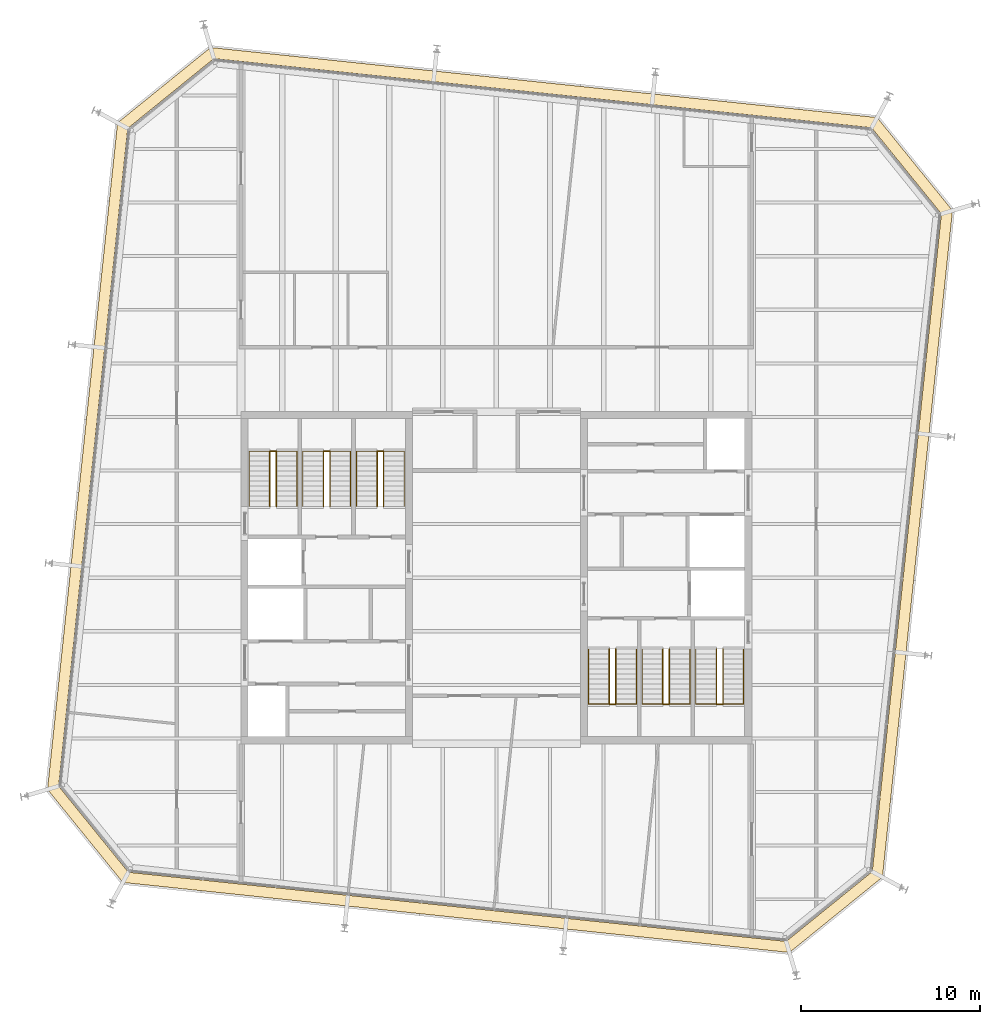
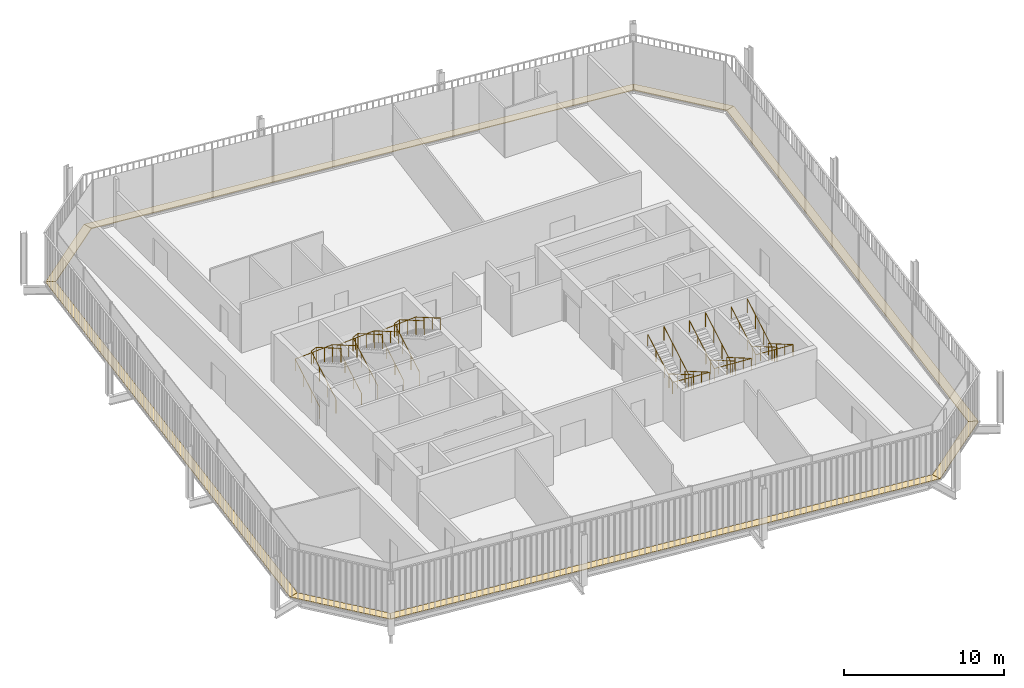
# One storey, part 20 of 20: 12 railings, 8 coverings.
"""IFC4 building model written with IfcOpenShell, lengths in metres."""

from ifc_helpers import new_model, si_unit, direction, frame, origin, origin_2d, place, context, subcontext, project, spatial, polyline, circle, outline, extrude, material, layer, layer_set, type_object, element, save


model = new_model("IFC4")

# Units and contexts
model_context = context("Model", 3, precision=1e-05, world=origin(), true_north=direction((0.0, 1.0)))
body_context = subcontext(model_context, "Body", "Model", "MODEL_VIEW")
ifc_project = project(units=[si_unit("LENGTHUNIT", "METRE"), si_unit("AREAUNIT", "SQUARE_METRE"), si_unit("VOLUMEUNIT", "CUBIC_METRE"), si_unit("PLANEANGLEUNIT", "RADIAN"), si_unit("MASSUNIT", "GRAM", prefix="KILO")], contexts=[model_context])

# Site, building, storey
site_placement = place(None, origin())
site = spatial("IfcSite", under=ifc_project, at=site_placement, CompositionType="ELEMENT")
building_placement = place(site_placement, origin())
building = spatial("IfcBuilding", under=site, at=building_placement, Name="Millrace Tower", CompositionType="ELEMENT")
storey_placement = place(building_placement, frame((0.0, 0.0, 295.5)))
storey = spatial("IfcBuildingStorey", under=building, at=storey_placement, Name="L68", CompositionType="ELEMENT", Elevation=295.5)

# Coverings
ifc_material_1 = material(Name="Steel ASTM A36", Category="steel")
ifc_layer = layer(ifc_material_1, 0.050048828125)
ifc_layer_set = layer_set([ifc_layer], Name="Steel ASTM A36")
covering_type = type_object("IfcCoveringType", Name="CAVITY CATWALK steel grating", PredefinedType="FLOORING", material=ifc_layer_set)
placement = place(storey_placement, frame((0.0, 0.0, 0.10009765625)))
element("IfcCovering", 1, at=placement, inside=storey, type_object=covering_type, Name="Cavity catwalk grating E-F01 L68 1", PredefinedType="FLOORING", context=body_context, shape_type="SweptSolid", body=[
    extrude(outline(polyline([(-25.13232421875, -11.8515625), (-20.914306640625, -17.060302734375), (-20.6044921875, -16.489501953125), (-24.509521484375, -11.6669921875), (-25.13232421875, -11.8515625)])), origin(), (0.0, 0.0, 1.0), 0.0498046875),
])
element("IfcCovering", 2, at=placement, inside=storey, type_object=covering_type, Name="Cavity catwalk grating E-F02 L68 1", PredefinedType="FLOORING", context=body_context, shape_type="SweptSolid", body=[
    extrude(outline(polyline([(-20.914306640625, -17.060302734375), (16.4013671875, -20.982177734375), (16.217041015625, -20.359619140625), (-20.6044921875, -16.489501953125), (-20.914306640625, -17.060302734375)])), origin(), (0.0, 0.0, 1.0), 0.0498046875),
])
element("IfcCovering", 3, at=placement, inside=storey, type_object=covering_type, Name="Cavity catwalk grating E-F03 L68 1", PredefinedType="FLOORING", context=body_context, shape_type="SweptSolid", body=[
    extrude(outline(polyline([(16.4013671875, -20.982177734375), (21.6103515625, -16.764404296875), (21.03955078125, -16.454345703125), (16.217041015625, -20.359619140625), (16.4013671875, -20.982177734375)])), origin(), (0.0, 0.0, 1.0), 0.0498046875),
])
element("IfcCovering", 4, at=placement, inside=storey, type_object=covering_type, Name="Cavity catwalk grating E-F04 L68 1", PredefinedType="FLOORING", context=body_context, shape_type="SweptSolid", body=[
    extrude(outline(polyline([(21.6103515625, -16.764404296875), (25.5322265625, 20.551513671875), (24.90966796875, 20.366943359375), (21.03955078125, -16.454345703125), (21.6103515625, -16.764404296875)])), origin(), (0.0, 0.0, 1.0), 0.0498046875),
])
element("IfcCovering", 5, at=placement, inside=storey, type_object=covering_type, Name="Cavity catwalk grating E-F05 L68 1", PredefinedType="FLOORING", context=body_context, shape_type="SweptSolid", body=[
    extrude(outline(polyline([(25.5322265625, 20.551513671875), (21.314208984375, 25.76025390625), (21.00439453125, 25.189453125), (24.90966796875, 20.366943359375), (25.5322265625, 20.551513671875)])), origin(), (0.0, 0.0, 1.0), 0.0498046875),
])
element("IfcCovering", 6, at=placement, inside=storey, type_object=covering_type, Name="Cavity catwalk grating E-F06 L68 1", PredefinedType="FLOORING", context=body_context, shape_type="SweptSolid", body=[
    extrude(outline(polyline([(21.314208984375, 25.76025390625), (-16.00146484375, 29.682373046875), (-15.817138671875, 29.0595703125), (21.00439453125, 25.189453125), (21.314208984375, 25.76025390625)])), origin(), (0.0, 0.0, 1.0), 0.0498046875),
])
element("IfcCovering", 7, at=placement, inside=storey, type_object=covering_type, Name="Cavity catwalk grating E-F07 L68 1", PredefinedType="FLOORING", context=body_context, shape_type="SweptSolid", body=[
    extrude(outline(polyline([(-16.00146484375, 29.682373046875), (-21.210205078125, 25.46435546875), (-20.639404296875, 25.154541015625), (-15.817138671875, 29.0595703125), (-16.00146484375, 29.682373046875)])), origin(), (0.0, 0.0, 1.0), 0.0498046875),
])
element("IfcCovering", 8, at=placement, inside=storey, type_object=covering_type, Name="Cavity catwalk grating E-F08 L68 1", PredefinedType="FLOORING", context=body_context, shape_type="SweptSolid", body=[
    extrude(outline(polyline([(-21.210205078125, 25.46435546875), (-25.13232421875, -11.8515625), (-24.509521484375, -11.6669921875), (-20.639404296875, 25.154541015625), (-21.210205078125, 25.46435546875)])), origin(), (0.0, 0.0, 1.0), 0.0498046875),
])

# Railings
ifc_material_2 = material(Name="Stainless steel ASTM A240 type 316", Category="steel")
railing_type_1 = type_object("IfcRailingType", Name="Stair guard 1100", PredefinedType="GUARDRAIL", material=ifc_material_2)
for number, where, name in (
    (9, (-12.679931640625, 4.0, 0.16259765625), "Stair guard 1 W L68"),
    (10, (-9.679931640625, 4.0, 0.16259765625), "Stair guard 2 W L68"),
    (11, (-6.679931640625, 4.0, 0.16259765625), "Stair guard 3 W L68"),
):
    element("IfcRailing", number, at=place(storey_placement, frame(where)), inside=storey, type_object=railing_type_1, Name=name, PredefinedType="GUARDRAIL", context=body_context, shape_type="SweptSolid", body=[
        extrude(circle(Radius=0.02392578125, at=origin_2d()), frame((0.0, 0.0, 1.076171875), z_axis=(0.0, 0.864920483161, 0.501908913857), x_axis=(-1.0, 0.0, 0.0)), (0.0, 0.0, 1.0), 3.56103515625),
        extrude(circle(Radius=0.02392578125, at=origin_2d()), frame((0.0, 3.080078125, 2.86328125), z_axis=(0.911295775139, 0.0, 0.411752365158), x_axis=(0.0, 1.0, 0.0)), (0.0, 0.0, 1.0), 0.394775390625),
        extrude(circle(Radius=0.02392578125, at=origin_2d()), frame((0.35986328125, 3.080078125, 3.02587890625), z_axis=(0.0, -0.864920483161, 0.501908913857), x_axis=(1.0, 0.0, 0.0)), (0.0, 0.0, 1.0), 3.56103515625),
        extrude(circle(Radius=0.02099609375, at=origin_2d()), origin(), (0.0, 0.0, 1.0), 1.052001953125),
        extrude(circle(Radius=0.02099609375, at=origin_2d()), frame((0.0, 1.026611328125, 0.595703125)), (0.0, 0.0, 1.0), 1.052001953125),
        extrude(circle(Radius=0.02099609375, at=origin_2d()), frame((0.0, 2.053466796875, 1.191650390625)), (0.0, 0.0, 1.0), 1.052001953125),
        extrude(circle(Radius=0.02099609375, at=origin_2d()), frame((0.0, 3.080078125, 1.787353515625)), (0.0, 0.0, 1.0), 1.052001953125),
        extrude(circle(Radius=0.02099609375, at=origin_2d()), frame((0.35986328125, 3.080078125, 1.949951171875)), (0.0, 0.0, 1.0), 1.052001953125),
        extrude(circle(Radius=0.02099609375, at=origin_2d()), frame((0.35986328125, 2.053466796875, 2.545654296875)), (0.0, 0.0, 1.0), 1.052001953125),
        extrude(circle(Radius=0.02099609375, at=origin_2d()), frame((0.35986328125, 1.026611328125, 3.1416015625)), (0.0, 0.0, 1.0), 1.052001953125),
        extrude(circle(Radius=0.02099609375, at=origin_2d()), frame((0.35986328125, 0.0, 3.7373046875)), (0.0, 0.0, 1.0), 1.052001953125),
    ])
for number, where, name in (
    (12, (12.679931640625, -4.0, 0.16259765625), "Stair guard 1 E L68"),
    (13, (9.679931640625, -4.0, 0.16259765625), "Stair guard 2 E L68"),
    (14, (6.679931640625, -4.0, 0.16259765625), "Stair guard 3 E L68"),
):
    element("IfcRailing", number, at=place(storey_placement, frame(where)), inside=storey, type_object=railing_type_1, Name=name, PredefinedType="GUARDRAIL", context=body_context, shape_type="SweptSolid", body=[
        extrude(circle(Radius=0.02392578125, at=origin_2d()), frame((0.0, 0.0, 1.076171875), z_axis=(0.0, -0.864920483161, 0.501908913857), x_axis=(1.0, 0.0, 0.0)), (0.0, 0.0, 1.0), 3.56103515625),
        extrude(circle(Radius=0.02392578125, at=origin_2d()), frame((0.0, -3.080078125, 2.86328125), z_axis=(-0.911295775139, 0.0, 0.411752365158), x_axis=(0.0, -1.0, 0.0)), (0.0, 0.0, 1.0), 0.394775390625),
        extrude(circle(Radius=0.02392578125, at=origin_2d()), frame((-0.35986328125, -3.080078125, 3.02587890625), z_axis=(0.0, 0.864920483161, 0.501908913857), x_axis=(-1.0, 0.0, 0.0)), (0.0, 0.0, 1.0), 3.56103515625),
        extrude(circle(Radius=0.02099609375, at=origin_2d()), origin(), (0.0, 0.0, 1.0), 1.052001953125),
        extrude(circle(Radius=0.02099609375, at=origin_2d()), frame((0.0, -1.026611328125, 0.595703125)), (0.0, 0.0, 1.0), 1.052001953125),
        extrude(circle(Radius=0.02099609375, at=origin_2d()), frame((0.0, -2.053466796875, 1.191650390625)), (0.0, 0.0, 1.0), 1.052001953125),
        extrude(circle(Radius=0.02099609375, at=origin_2d()), frame((0.0, -3.080078125, 1.787353515625)), (0.0, 0.0, 1.0), 1.052001953125),
        extrude(circle(Radius=0.02099609375, at=origin_2d()), frame((-0.35986328125, -3.080078125, 1.949951171875)), (0.0, 0.0, 1.0), 1.052001953125),
        extrude(circle(Radius=0.02099609375, at=origin_2d()), frame((-0.35986328125, -2.053466796875, 2.545654296875)), (0.0, 0.0, 1.0), 1.052001953125),
        extrude(circle(Radius=0.02099609375, at=origin_2d()), frame((-0.35986328125, -1.026611328125, 3.1416015625)), (0.0, 0.0, 1.0), 1.052001953125),
        extrude(circle(Radius=0.02099609375, at=origin_2d()), frame((-0.35986328125, 0.0, 3.7373046875)), (0.0, 0.0, 1.0), 1.052001953125),
    ])
ifc_material_3 = material(Name="Stainless steel ASTM A240 type 316", Category="steel")
railing_type_2 = type_object("IfcRailingType", Name="Stair handrail 900", PredefinedType="HANDRAIL", material=ifc_material_3)
railing_1_placement = place(storey_placement, frame((-13.840087890625, 4.0, 0.16259765625)))
element("IfcRailing", 15, at=railing_1_placement, inside=storey, type_object=railing_type_2, Name="Stair handrail 1 W L68", PredefinedType="HANDRAIL", context=body_context, shape_type="SweptSolid", body=[
    extrude(circle(Radius=0.02392578125, at=origin_2d()), frame((0.0, 0.0, 0.8759765625), z_axis=(0.0, 0.864920483161, 0.501908913857), x_axis=(-1.0, 0.0, 0.0)), (0.0, 0.0, 1.0), 3.56103515625),
    extrude(circle(Radius=0.02392578125, at=origin_2d()), frame((0.0, 3.080078125, 2.6630859375), z_axis=(0.998164834547, 0.0, 0.060555454528), x_axis=(0.0, 1.0, 0.0)), (0.0, 0.0, 1.0), 2.68505859375),
    extrude(circle(Radius=0.02392578125, at=origin_2d()), frame((2.68017578125, 3.080078125, 2.82568359375), z_axis=(0.0, -0.864920483161, 0.501908913857), x_axis=(1.0, 0.0, 0.0)), (0.0, 0.0, 1.0), 3.56103515625),
    extrude(circle(Radius=0.02099609375, at=origin_2d()), origin(), (0.0, 0.0, 1.0), 0.851806640625),
    extrude(circle(Radius=0.02099609375, at=origin_2d()), frame((0.0, 1.026611328125, 0.595703125)), (0.0, 0.0, 1.0), 0.851806640625),
    extrude(circle(Radius=0.02099609375, at=origin_2d()), frame((0.0, 2.053466796875, 1.191650390625)), (0.0, 0.0, 1.0), 0.851806640625),
    extrude(circle(Radius=0.02099609375, at=origin_2d()), frame((0.0, 3.080078125, 1.787353515625)), (0.0, 0.0, 1.0), 0.851806640625),
    extrude(circle(Radius=0.02099609375, at=origin_2d()), frame((1.340087890625, 3.080078125, 1.86865234375)), (0.0, 0.0, 1.0), 0.851806640625),
    extrude(circle(Radius=0.02099609375, at=origin_2d()), frame((2.68017578125, 3.080078125, 1.949951171875)), (0.0, 0.0, 1.0), 0.851806640625),
    extrude(circle(Radius=0.02099609375, at=origin_2d()), frame((2.68017578125, 2.053466796875, 2.545654296875)), (0.0, 0.0, 1.0), 0.851806640625),
    extrude(circle(Radius=0.02099609375, at=origin_2d()), frame((2.68017578125, 1.026611328125, 3.1416015625)), (0.0, 0.0, 1.0), 0.851806640625),
    extrude(circle(Radius=0.02099609375, at=origin_2d()), frame((2.68017578125, 0.0, 3.7373046875)), (0.0, 0.0, 1.0), 0.851806640625),
])
railing_2_placement = place(storey_placement, frame((-10.840087890625, 4.0, 0.16259765625)))
element("IfcRailing", 16, at=railing_2_placement, inside=storey, type_object=railing_type_2, Name="Stair handrail 2 W L68", PredefinedType="HANDRAIL", context=body_context, shape_type="SweptSolid", body=[
    extrude(circle(Radius=0.02392578125, at=origin_2d()), frame((0.0, 0.0, 0.8759765625), z_axis=(0.0, 0.864920483161, 0.501908913857), x_axis=(-1.0, 0.0, 0.0)), (0.0, 0.0, 1.0), 3.56103515625),
    extrude(circle(Radius=0.02392578125, at=origin_2d()), frame((0.0, 3.080078125, 2.6630859375), z_axis=(0.998164834547, 0.0, 0.060555454528), x_axis=(0.0, 1.0, 0.0)), (0.0, 0.0, 1.0), 2.68505859375),
    extrude(circle(Radius=0.02392578125, at=origin_2d()), frame((2.68017578125, 3.080078125, 2.82568359375), z_axis=(0.0, -0.864920483161, 0.501908913857), x_axis=(1.0, 0.0, 0.0)), (0.0, 0.0, 1.0), 3.56103515625),
    extrude(circle(Radius=0.02099609375, at=origin_2d()), origin(), (0.0, 0.0, 1.0), 0.851806640625),
    extrude(circle(Radius=0.02099609375, at=origin_2d()), frame((0.0, 1.026611328125, 0.595703125)), (0.0, 0.0, 1.0), 0.851806640625),
    extrude(circle(Radius=0.02099609375, at=origin_2d()), frame((0.0, 2.053466796875, 1.191650390625)), (0.0, 0.0, 1.0), 0.851806640625),
    extrude(circle(Radius=0.02099609375, at=origin_2d()), frame((0.0, 3.080078125, 1.787353515625)), (0.0, 0.0, 1.0), 0.851806640625),
    extrude(circle(Radius=0.02099609375, at=origin_2d()), frame((1.340087890625, 3.080078125, 1.86865234375)), (0.0, 0.0, 1.0), 0.851806640625),
    extrude(circle(Radius=0.02099609375, at=origin_2d()), frame((2.68017578125, 3.080078125, 1.949951171875)), (0.0, 0.0, 1.0), 0.851806640625),
    extrude(circle(Radius=0.02099609375, at=origin_2d()), frame((2.68017578125, 2.053466796875, 2.545654296875)), (0.0, 0.0, 1.0), 0.851806640625),
    extrude(circle(Radius=0.02099609375, at=origin_2d()), frame((2.68017578125, 1.026611328125, 3.1416015625)), (0.0, 0.0, 1.0), 0.851806640625),
    extrude(circle(Radius=0.02099609375, at=origin_2d()), frame((2.68017578125, 0.0, 3.7373046875)), (0.0, 0.0, 1.0), 0.851806640625),
])
railing_3_placement = place(storey_placement, frame((-7.840087890625, 4.0, 0.16259765625)))
element("IfcRailing", 17, at=railing_3_placement, inside=storey, type_object=railing_type_2, Name="Stair handrail 3 W L68", PredefinedType="HANDRAIL", context=body_context, shape_type="SweptSolid", body=[
    extrude(circle(Radius=0.02392578125, at=origin_2d()), frame((0.0, 0.0, 0.8759765625), z_axis=(0.0, 0.864920483161, 0.501908913857), x_axis=(-1.0, 0.0, 0.0)), (0.0, 0.0, 1.0), 3.56103515625),
    extrude(circle(Radius=0.02392578125, at=origin_2d()), frame((0.0, 3.080078125, 2.6630859375), z_axis=(0.998164834547, 0.0, 0.060555454528), x_axis=(0.0, 1.0, 0.0)), (0.0, 0.0, 1.0), 2.68505859375),
    extrude(circle(Radius=0.02392578125, at=origin_2d()), frame((2.68017578125, 3.080078125, 2.82568359375), z_axis=(0.0, -0.864920483161, 0.501908913857), x_axis=(1.0, 0.0, 0.0)), (0.0, 0.0, 1.0), 3.56103515625),
    extrude(circle(Radius=0.02099609375, at=origin_2d()), origin(), (0.0, 0.0, 1.0), 0.851806640625),
    extrude(circle(Radius=0.02099609375, at=origin_2d()), frame((0.0, 1.026611328125, 0.595703125)), (0.0, 0.0, 1.0), 0.851806640625),
    extrude(circle(Radius=0.02099609375, at=origin_2d()), frame((0.0, 2.053466796875, 1.191650390625)), (0.0, 0.0, 1.0), 0.851806640625),
    extrude(circle(Radius=0.02099609375, at=origin_2d()), frame((0.0, 3.080078125, 1.787353515625)), (0.0, 0.0, 1.0), 0.851806640625),
    extrude(circle(Radius=0.02099609375, at=origin_2d()), frame((1.340087890625, 3.080078125, 1.86865234375)), (0.0, 0.0, 1.0), 0.851806640625),
    extrude(circle(Radius=0.02099609375, at=origin_2d()), frame((2.68017578125, 3.080078125, 1.949951171875)), (0.0, 0.0, 1.0), 0.851806640625),
    extrude(circle(Radius=0.02099609375, at=origin_2d()), frame((2.68017578125, 2.053466796875, 2.545654296875)), (0.0, 0.0, 1.0), 0.851806640625),
    extrude(circle(Radius=0.02099609375, at=origin_2d()), frame((2.68017578125, 1.026611328125, 3.1416015625)), (0.0, 0.0, 1.0), 0.851806640625),
    extrude(circle(Radius=0.02099609375, at=origin_2d()), frame((2.68017578125, 0.0, 3.7373046875)), (0.0, 0.0, 1.0), 0.851806640625),
])
railing_4_placement = place(storey_placement, frame((13.840087890625, -4.0, 0.16259765625)))
element("IfcRailing", 18, at=railing_4_placement, inside=storey, type_object=railing_type_2, Name="Stair handrail 1 E L68", PredefinedType="HANDRAIL", context=body_context, shape_type="SweptSolid", body=[
    extrude(circle(Radius=0.02392578125, at=origin_2d()), frame((0.0, 0.0, 0.8759765625), z_axis=(0.0, -0.864920483161, 0.501908913857), x_axis=(1.0, 0.0, 0.0)), (0.0, 0.0, 1.0), 3.56103515625),
    extrude(circle(Radius=0.02392578125, at=origin_2d()), frame((0.0, -3.080078125, 2.6630859375), z_axis=(-0.998164834547, 0.0, 0.060555454528), x_axis=(0.0, -1.0, 0.0)), (0.0, 0.0, 1.0), 2.68505859375),
    extrude(circle(Radius=0.02392578125, at=origin_2d()), frame((-2.68017578125, -3.080078125, 2.82568359375), z_axis=(0.0, 0.864920483161, 0.501908913857), x_axis=(-1.0, 0.0, 0.0)), (0.0, 0.0, 1.0), 3.56103515625),
    extrude(circle(Radius=0.02099609375, at=origin_2d()), origin(), (0.0, 0.0, 1.0), 0.851806640625),
    extrude(circle(Radius=0.02099609375, at=origin_2d()), frame((0.0, -1.026611328125, 0.595703125)), (0.0, 0.0, 1.0), 0.851806640625),
    extrude(circle(Radius=0.02099609375, at=origin_2d()), frame((0.0, -2.053466796875, 1.191650390625)), (0.0, 0.0, 1.0), 0.851806640625),
    extrude(circle(Radius=0.02099609375, at=origin_2d()), frame((0.0, -3.080078125, 1.787353515625)), (0.0, 0.0, 1.0), 0.851806640625),
    extrude(circle(Radius=0.02099609375, at=origin_2d()), frame((-1.340087890625, -3.080078125, 1.86865234375)), (0.0, 0.0, 1.0), 0.851806640625),
    extrude(circle(Radius=0.02099609375, at=origin_2d()), frame((-2.68017578125, -3.080078125, 1.949951171875)), (0.0, 0.0, 1.0), 0.851806640625),
    extrude(circle(Radius=0.02099609375, at=origin_2d()), frame((-2.68017578125, -2.053466796875, 2.545654296875)), (0.0, 0.0, 1.0), 0.851806640625),
    extrude(circle(Radius=0.02099609375, at=origin_2d()), frame((-2.68017578125, -1.026611328125, 3.1416015625)), (0.0, 0.0, 1.0), 0.851806640625),
    extrude(circle(Radius=0.02099609375, at=origin_2d()), frame((-2.68017578125, 0.0, 3.7373046875)), (0.0, 0.0, 1.0), 0.851806640625),
])
railing_5_placement = place(storey_placement, frame((10.840087890625, -4.0, 0.16259765625)))
element("IfcRailing", 19, at=railing_5_placement, inside=storey, type_object=railing_type_2, Name="Stair handrail 2 E L68", PredefinedType="HANDRAIL", context=body_context, shape_type="SweptSolid", body=[
    extrude(circle(Radius=0.02392578125, at=origin_2d()), frame((0.0, 0.0, 0.8759765625), z_axis=(0.0, -0.864920483161, 0.501908913857), x_axis=(1.0, 0.0, 0.0)), (0.0, 0.0, 1.0), 3.56103515625),
    extrude(circle(Radius=0.02392578125, at=origin_2d()), frame((0.0, -3.080078125, 2.6630859375), z_axis=(-0.998164834547, 0.0, 0.060555454528), x_axis=(0.0, -1.0, 0.0)), (0.0, 0.0, 1.0), 2.68505859375),
    extrude(circle(Radius=0.02392578125, at=origin_2d()), frame((-2.68017578125, -3.080078125, 2.82568359375), z_axis=(0.0, 0.864920483161, 0.501908913857), x_axis=(-1.0, 0.0, 0.0)), (0.0, 0.0, 1.0), 3.56103515625),
    extrude(circle(Radius=0.02099609375, at=origin_2d()), origin(), (0.0, 0.0, 1.0), 0.851806640625),
    extrude(circle(Radius=0.02099609375, at=origin_2d()), frame((0.0, -1.026611328125, 0.595703125)), (0.0, 0.0, 1.0), 0.851806640625),
    extrude(circle(Radius=0.02099609375, at=origin_2d()), frame((0.0, -2.053466796875, 1.191650390625)), (0.0, 0.0, 1.0), 0.851806640625),
    extrude(circle(Radius=0.02099609375, at=origin_2d()), frame((0.0, -3.080078125, 1.787353515625)), (0.0, 0.0, 1.0), 0.851806640625),
    extrude(circle(Radius=0.02099609375, at=origin_2d()), frame((-1.340087890625, -3.080078125, 1.86865234375)), (0.0, 0.0, 1.0), 0.851806640625),
    extrude(circle(Radius=0.02099609375, at=origin_2d()), frame((-2.68017578125, -3.080078125, 1.949951171875)), (0.0, 0.0, 1.0), 0.851806640625),
    extrude(circle(Radius=0.02099609375, at=origin_2d()), frame((-2.68017578125, -2.053466796875, 2.545654296875)), (0.0, 0.0, 1.0), 0.851806640625),
    extrude(circle(Radius=0.02099609375, at=origin_2d()), frame((-2.68017578125, -1.026611328125, 3.1416015625)), (0.0, 0.0, 1.0), 0.851806640625),
    extrude(circle(Radius=0.02099609375, at=origin_2d()), frame((-2.68017578125, 0.0, 3.7373046875)), (0.0, 0.0, 1.0), 0.851806640625),
])
railing_6_placement = place(storey_placement, frame((7.840087890625, -4.0, 0.16259765625)))
element("IfcRailing", 20, at=railing_6_placement, inside=storey, type_object=railing_type_2, Name="Stair handrail 3 E L68", PredefinedType="HANDRAIL", context=body_context, shape_type="SweptSolid", body=[
    extrude(circle(Radius=0.02392578125, at=origin_2d()), frame((0.0, 0.0, 0.8759765625), z_axis=(0.0, -0.864920483161, 0.501908913857), x_axis=(1.0, 0.0, 0.0)), (0.0, 0.0, 1.0), 3.56103515625),
    extrude(circle(Radius=0.02392578125, at=origin_2d()), frame((0.0, -3.080078125, 2.6630859375), z_axis=(-0.998164834547, 0.0, 0.060555454528), x_axis=(0.0, -1.0, 0.0)), (0.0, 0.0, 1.0), 2.68505859375),
    extrude(circle(Radius=0.02392578125, at=origin_2d()), frame((-2.68017578125, -3.080078125, 2.82568359375), z_axis=(0.0, 0.864920483161, 0.501908913857), x_axis=(-1.0, 0.0, 0.0)), (0.0, 0.0, 1.0), 3.56103515625),
    extrude(circle(Radius=0.02099609375, at=origin_2d()), origin(), (0.0, 0.0, 1.0), 0.851806640625),
    extrude(circle(Radius=0.02099609375, at=origin_2d()), frame((0.0, -1.026611328125, 0.595703125)), (0.0, 0.0, 1.0), 0.851806640625),
    extrude(circle(Radius=0.02099609375, at=origin_2d()), frame((0.0, -2.053466796875, 1.191650390625)), (0.0, 0.0, 1.0), 0.851806640625),
    extrude(circle(Radius=0.02099609375, at=origin_2d()), frame((0.0, -3.080078125, 1.787353515625)), (0.0, 0.0, 1.0), 0.851806640625),
    extrude(circle(Radius=0.02099609375, at=origin_2d()), frame((-1.340087890625, -3.080078125, 1.86865234375)), (0.0, 0.0, 1.0), 0.851806640625),
    extrude(circle(Radius=0.02099609375, at=origin_2d()), frame((-2.68017578125, -3.080078125, 1.949951171875)), (0.0, 0.0, 1.0), 0.851806640625),
    extrude(circle(Radius=0.02099609375, at=origin_2d()), frame((-2.68017578125, -2.053466796875, 2.545654296875)), (0.0, 0.0, 1.0), 0.851806640625),
    extrude(circle(Radius=0.02099609375, at=origin_2d()), frame((-2.68017578125, -1.026611328125, 3.1416015625)), (0.0, 0.0, 1.0), 0.851806640625),
    extrude(circle(Radius=0.02099609375, at=origin_2d()), frame((-2.68017578125, 0.0, 3.7373046875)), (0.0, 0.0, 1.0), 0.851806640625),
])

save(model, "model.ifc")
